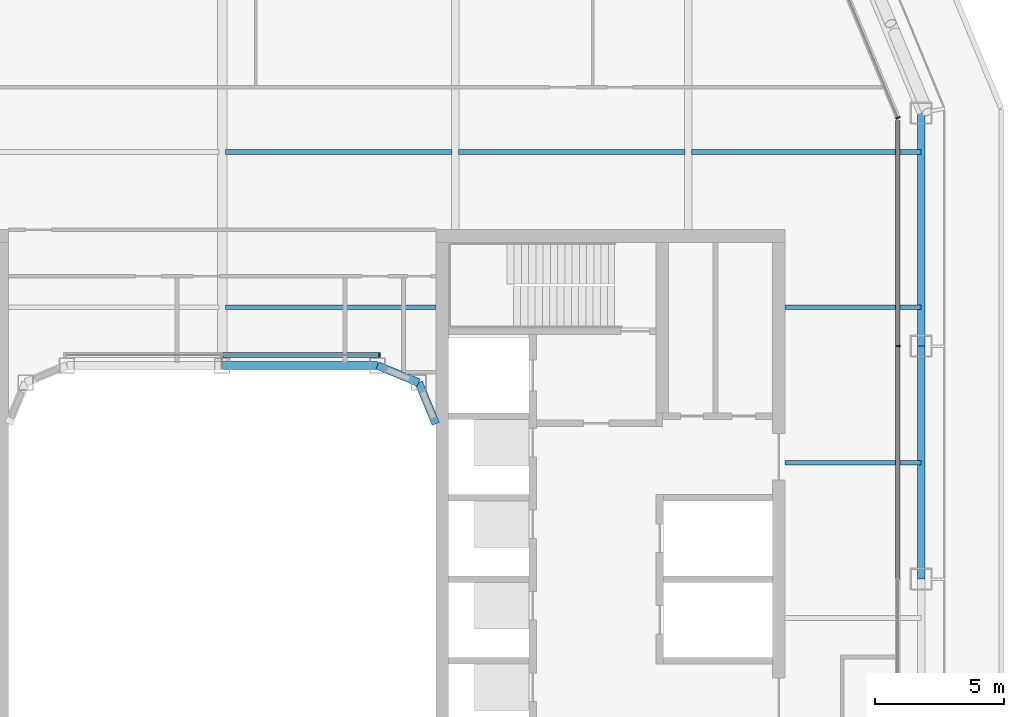
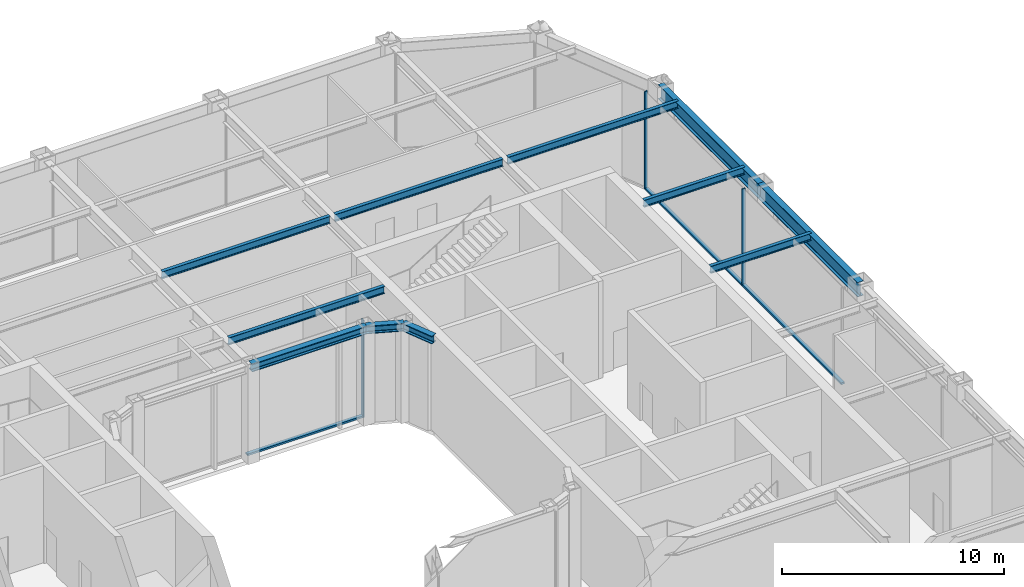
# One storey, part 8 of 19: 11 beams, 6 members, 3 elements without a shape of their own.
"""IFC4 building model written with IfcOpenShell, lengths in metres."""

from ifc_helpers import new_model, si_unit, direction, frame, origin, origin_2d, place, context, subcontext, project, spatial, rectangle, i_section, extrude, material, layer, layer_set, material_profile, profile_set, type_object, element, aggregate, save


model = new_model("IFC4")

# Units and contexts
model_context = context("Model", 3, precision=1e-05, world=origin(), true_north=direction((0.0, 1.0)))
body_context = subcontext(model_context, "Body", "Model", "MODEL_VIEW")
ifc_project = project(units=[si_unit("LENGTHUNIT", "METRE"), si_unit("AREAUNIT", "SQUARE_METRE"), si_unit("VOLUMEUNIT", "CUBIC_METRE"), si_unit("PLANEANGLEUNIT", "RADIAN"), si_unit("MASSUNIT", "GRAM", prefix="KILO")], contexts=[model_context])

# Site, building, storey
site_placement = place(None, origin())
site = spatial("IfcSite", under=ifc_project, at=site_placement, CompositionType="ELEMENT")
building_placement = place(site_placement, origin())
building = spatial("IfcBuilding", under=site, at=building_placement, Name="Siwar Civic Tower", CompositionType="ELEMENT")
storey_placement = place(building_placement, frame((0.0, 0.0, 187.199951171875)))
storey = spatial("IfcBuildingStorey", under=building, at=storey_placement, Name="L40", CompositionType="ELEMENT", Elevation=187.199951171875)

# Curtain wall, member
ifc_material_1 = material(Name="Aluminium and glass", Category="aluminium")
ifc_layer_1 = layer(ifc_material_1, 0.179931640625)
ifc_layer_set_1 = layer_set([ifc_layer_1], Name="Aluminium and glass")
curtain_wall_type_1 = type_object("IfcCurtainWallType", Name="ENV-CW-C", PredefinedType="NOTDEFINED", material=ifc_layer_set_1)
curtain_wall_1_placement = place(storey_placement, origin())
curtain_wall_1 = element("IfcCurtainWall", 1, at=curtain_wall_1_placement, inside=storey, type_object=curtain_wall_type_1, Name="Curtain wall C E", PredefinedType="NOTDEFINED")
ifc_material_2 = material(Name="Aluminium 6063-T6", Category="aluminium")
ifc_material_profile_1 = material_profile(ifc_material_2, rectangle(XDim=0.179931640625, YDim=0.06005859375, at=origin_2d()), Name="AL 180x60")
ifc_profile_set_1 = profile_set([ifc_material_profile_1], Name="Aluminium 6063-T6")
member_type_1 = type_object("IfcMemberType", Name="ENV-MULLION-C", PredefinedType="MULLION", material=ifc_profile_set_1)
member_1_placement = place(storey_placement, frame((26.10009765625, 9.0, 0.0), z_axis=(0.0, 0.0, 1.0), x_axis=(-1.0, 0.0, 0.0)))
member_1 = element("IfcMember", 2, at=member_1_placement, type_object=member_type_1, Name="Mullion C E 4", PredefinedType="MULLION", context=body_context, shape_type="SweptSolid", body=[
    extrude(rectangle(XDim=0.179931640625, YDim=0.06005859375, at=origin_2d()), origin(), (0.0, 0.0, 1.0), 5.35009765625),
])

ifc_material_3 = material(Name="Aluminium clad insulated panel", Category="aluminium")
ifc_layer_2 = layer(ifc_material_3, 0.179931640625)
ifc_layer_set_2 = layer_set([ifc_layer_2], Name="Aluminium clad insulated panel")
curtain_wall_type_2 = type_object("IfcCurtainWallType", Name="ENV-CW-CX", PredefinedType="NOTDEFINED", material=ifc_layer_set_2)
curtain_wall_2_placement = place(storey_placement, origin())
curtain_wall_2 = element("IfcCurtainWall", 3, at=curtain_wall_2_placement, inside=storey, type_object=curtain_wall_type_2, Name="Curtain wall C NE1", PredefinedType="NOTDEFINED")
member_2_placement = place(storey_placement, frame((26.10009765625, 17.821044921875, 0.0), z_axis=(0.0, 0.0, 1.0), x_axis=(-0.923879532511, -0.382683432365, 0.0)))
member_2 = element("IfcMember", 4, at=member_2_placement, type_object=member_type_1, Name="Mullion C NE1 1", PredefinedType="MULLION", context=body_context, shape_type="SweptSolid", body=[
    extrude(rectangle(XDim=0.179931640625, YDim=0.06005859375, at=origin_2d()), origin(), (0.0, 0.0, 1.0), 5.35009765625),
])
aggregate(curtain_wall_2, [member_2])

ifc_material_4 = material(Name="Aluminium and glass", Category="aluminium")
ifc_layer_3 = layer(ifc_material_4, 0.179931640625)
ifc_layer_set_3 = layer_set([ifc_layer_3], Name="Aluminium and glass")
curtain_wall_type_3 = type_object("IfcCurtainWallType", Name="ENV-CW-W", PredefinedType="NOTDEFINED", material=ifc_layer_set_3)
curtain_wall_3_placement = place(storey_placement, origin())
curtain_wall_3 = element("IfcCurtainWall", 5, at=curtain_wall_3_placement, inside=storey, type_object=curtain_wall_type_3, Name="Curtain wall W WN", PredefinedType="NOTDEFINED")
ifc_material_5 = material(Name="Aluminium 6063-T6", Category="aluminium")
ifc_material_profile_2 = material_profile(ifc_material_5, rectangle(XDim=0.179931640625, YDim=0.06005859375, at=origin_2d()), Name="AL 180x60")
ifc_profile_set_2 = profile_set([ifc_material_profile_2], Name="Aluminium 6063-T6")
member_type_2 = type_object("IfcMemberType", Name="ENV-MULLION-W", PredefinedType="MULLION", material=ifc_profile_set_2)
member_3_placement = place(storey_placement, frame((6.08154296875, 8.659912109375, 0.0), z_axis=(0.0, 0.0, 1.0), x_axis=(0.0, -1.0, 0.0)))
member_3 = element("IfcMember", 6, at=member_3_placement, type_object=member_type_2, Name="Mullion W WN 1", PredefinedType="MULLION", context=body_context, shape_type="SweptSolid", body=[
    extrude(rectangle(XDim=0.179931640625, YDim=0.06005859375, at=origin_2d()), origin(), (0.0, 0.0, 1.0), 5.35009765625),
])

# Member
ifc_material_6 = material(Name="Aluminium 6063-T6", Category="aluminium")
ifc_material_profile_3 = material_profile(ifc_material_6, rectangle(XDim=0.179931640625, YDim=0.10009765625, at=origin_2d()), Name="AL 180x100")
ifc_profile_set_3 = profile_set([ifc_material_profile_3], Name="Aluminium 6063-T6")
member_type_3 = type_object("IfcMemberType", Name="ENV-TRANSOM-C", PredefinedType="USERDEFINED", material=ifc_profile_set_3)
member_4_placement = place(storey_placement, frame((26.10009765625, 0.030029296875, 0.050048828125), z_axis=(0.0, 1.0, 0.0), x_axis=(-1.0, 0.0, 0.0)))
member_4 = element("IfcMember", 7, at=member_4_placement, type_object=member_type_3, Name="Transom C E 3", ObjectType="TRANSOM", PredefinedType="USERDEFINED", context=body_context, shape_type="SweptSolid", body=[
    extrude(rectangle(XDim=0.179931640625, YDim=0.10009765625, at=origin_2d()), origin(), (0.0, 0.0, 1.0), 8.93994140625),
])

member_5_placement = place(storey_placement, frame((26.10009765625, 9.030029296875, 0.050048828125), z_axis=(0.0, 1.0, 0.0), x_axis=(-1.0, 0.0, 0.0)))
member_5 = element("IfcMember", 8, at=member_5_placement, type_object=member_type_3, Name="Transom C E 4", ObjectType="TRANSOM", PredefinedType="USERDEFINED", context=body_context, shape_type="SweptSolid", body=[
    extrude(rectangle(XDim=0.179931640625, YDim=0.10009765625, at=origin_2d()), origin(), (0.0, 0.0, 1.0), 8.68603515625),
])

aggregate(curtain_wall_1, [member_1, member_4, member_5])

ifc_material_7 = material(Name="Aluminium 6063-T6", Category="aluminium")
ifc_material_profile_4 = material_profile(ifc_material_7, rectangle(XDim=0.179931640625, YDim=0.10009765625, at=origin_2d()), Name="AL 180x100")
ifc_profile_set_4 = profile_set([ifc_material_profile_4], Name="Aluminium 6063-T6")
member_type_4 = type_object("IfcMemberType", Name="ENV-TRANSOM-W", PredefinedType="USERDEFINED", material=ifc_profile_set_4)
member_6_placement = place(storey_placement, frame((6.051513671875, 8.659912109375, 0.050048828125), z_axis=(-1.0, 0.0, 0.0), x_axis=(0.0, -1.0, 0.0)))
member_6 = element("IfcMember", 9, at=member_6_placement, type_object=member_type_4, Name="Transom W WN 1", ObjectType="TRANSOM", PredefinedType="USERDEFINED", context=body_context, shape_type="SweptSolid", body=[
    extrude(rectangle(XDim=0.179931640625, YDim=0.10009765625, at=origin_2d()), origin(), (0.0, 0.0, 1.0), 6.021484375),
])

aggregate(curtain_wall_3, [member_3, member_6])

# Beams
ifc_material_8 = material(Name="Steel S355", Category="steel")
ifc_material_profile_5 = material_profile(ifc_material_8, i_section(OverallWidth=0.179931640625, OverallDepth=0.39990234375, WebThickness=0.008544921875, FlangeThickness=0.013427734375, FilletRadius=0.02099609375, at=origin_2d()), Name="IPE400")
ifc_profile_set_5 = profile_set([ifc_material_profile_5], Name="Steel S355")
beam_type_1 = type_object("IfcBeamType", Name="STR-FB-IPE400", PredefinedType="JOIST", material=ifc_profile_set_5)
beam_1_placement = place(storey_placement, frame((21.75, 4.5, 5.150146484375), z_axis=(1.0, 0.0, 0.0), x_axis=(0.0, 1.0, 0.0)))
element("IfcBeam", 10, at=beam_1_placement, inside=storey, type_object=beam_type_1, Name="L40/bm/F026", PredefinedType="JOIST", context=body_context, shape_type="SweptSolid", body=[
    extrude(i_section(OverallWidth=0.179931640625, OverallDepth=0.39990234375, WebThickness=0.008544921875, FlangeThickness=0.013427734375, FilletRadius=0.02099609375, at=origin_2d()), origin(), (0.0, 0.0, 1.0), 5.25),
])
beam_2_placement = place(storey_placement, frame((0.1298828125, 10.5, 5.150146484375), z_axis=(1.0, 0.0, 0.0), x_axis=(0.0, 1.0, 0.0)))
element("IfcBeam", 11, at=beam_2_placement, inside=storey, type_object=beam_type_1, Name="L40/bm/F029", PredefinedType="JOIST", context=body_context, shape_type="SweptSolid", body=[
    extrude(i_section(OverallWidth=0.179931640625, OverallDepth=0.39990234375, WebThickness=0.008544921875, FlangeThickness=0.013427734375, FilletRadius=0.02099609375, at=origin_2d()), origin(), (0.0, 0.0, 1.0), 8.1201171875),
])
beam_3_placement = place(storey_placement, frame((21.75, 10.5, 5.150146484375), z_axis=(1.0, 0.0, 0.0), x_axis=(0.0, 1.0, 0.0)))
element("IfcBeam", 12, at=beam_3_placement, inside=storey, type_object=beam_type_1, Name="L40/bm/F030", PredefinedType="JOIST", context=body_context, shape_type="SweptSolid", body=[
    extrude(i_section(OverallWidth=0.179931640625, OverallDepth=0.39990234375, WebThickness=0.008544921875, FlangeThickness=0.013427734375, FilletRadius=0.02099609375, at=origin_2d()), origin(), (0.0, 0.0, 1.0), 5.25),
])
for number, where, z_axis, x_axis, name in (
    (13, (0.1298828125, 16.5, 5.150146484375), (1.0, 0.0, 0.0), (0.0, 1.0, 0.0), "L40/bm/F034"),
    (14, (9.1298828125, 16.5, 5.150146484375), (1.0, 0.0, 0.0), (0.0, 1.0, 0.0), "L40/bm/F035"),
):
    element("IfcBeam", number, at=place(storey_placement, frame(where, z_axis=z_axis, x_axis=x_axis)), inside=storey, type_object=beam_type_1, Name=name, PredefinedType="JOIST", context=body_context, shape_type="SweptSolid", body=[
        extrude(i_section(OverallWidth=0.179931640625, OverallDepth=0.39990234375, WebThickness=0.008544921875, FlangeThickness=0.013427734375, FilletRadius=0.02099609375, at=origin_2d()), origin(), (0.0, 0.0, 1.0), 8.740234375),
    ])
beam_4_placement = place(storey_placement, frame((18.1298828125, 16.5, 5.150146484375), z_axis=(1.0, 0.0, 0.0), x_axis=(0.0, 1.0, 0.0)))
element("IfcBeam", 15, at=beam_4_placement, inside=storey, type_object=beam_type_1, Name="L40/bm/F036", PredefinedType="JOIST", context=body_context, shape_type="SweptSolid", body=[
    extrude(i_section(OverallWidth=0.179931640625, OverallDepth=0.39990234375, WebThickness=0.008544921875, FlangeThickness=0.013427734375, FilletRadius=0.02099609375, at=origin_2d()), origin(), (0.0, 0.0, 1.0), 8.8701171875),
])
ifc_material_9 = material(Name="Steel S355", Category="steel")
ifc_material_profile_6 = material_profile(ifc_material_9, i_section(OverallWidth=0.306884765625, OverallDepth=0.431884765625, WebThickness=0.02099609375, FlangeThickness=0.0400390625, FilletRadius=0.027099609375, at=origin_2d()), Name="HEM400")
ifc_profile_set_6 = profile_set([ifc_material_profile_6], Name="Steel S355")
beam_type_2 = type_object("IfcBeamType", Name="STR-RB-HEM400", PredefinedType="BEAM", material=ifc_profile_set_6)
beam_5_placement = place(storey_placement, frame((0.0, 8.25, 5.134033203125), z_axis=(1.0, 0.0, 0.0), x_axis=(0.0, 1.0, 0.0)))
element("IfcBeam", 16, at=beam_5_placement, inside=storey, type_object=beam_type_2, Name="L40/bm/RN2", PredefinedType="BEAM", context=body_context, shape_type="SweptSolid", body=[
    extrude(i_section(OverallWidth=0.306884765625, OverallDepth=0.431884765625, WebThickness=0.02099609375, FlangeThickness=0.0400390625, FilletRadius=0.027099609375, at=origin_2d()), origin(), (0.0, 0.0, 1.0), 6.0),
])
for number, where, z_axis, x_axis, name in (
    (17, (6.0, 8.25, 5.134033203125), (0.923901072997, -0.382631424892, 0.0), (0.382631424892, 0.923901072997, 0.0), "L40/bm/RN3"),
    (18, (7.591064453125, 7.591064453125, 5.134033203125), (0.382631424892, -0.923901072997, 0.0), (0.923901072997, 0.382631424892, 0.0), "L40/bm/RNEE"),
):
    element("IfcBeam", number, at=place(storey_placement, frame(where, z_axis=z_axis, x_axis=x_axis)), inside=storey, type_object=beam_type_2, Name=name, PredefinedType="BEAM", context=body_context, shape_type="SweptSolid", body=[
        extrude(i_section(OverallWidth=0.306884765625, OverallDepth=0.431884765625, WebThickness=0.02099609375, FlangeThickness=0.0400390625, FilletRadius=0.027099609375, at=origin_2d()), origin(), (0.0, 0.0, 1.0), 1.72216796875),
    ])
ifc_material_10 = material(Name="Steel S355", Category="steel")
ifc_material_profile_7 = material_profile(ifc_material_10, i_section(OverallWidth=0.300048828125, OverallDepth=0.800048828125, WebThickness=0.017578125, FlangeThickness=0.032958984375, FilletRadius=0.030029296875, at=origin_2d()), Name="HEB800")
ifc_profile_set_7 = profile_set([ifc_material_profile_7], Name="Steel S355")
beam_type_3 = type_object("IfcBeamType", Name="STR-SB-HEB800", PredefinedType="BEAM", material=ifc_profile_set_7)
for number, where, z_axis, x_axis, name in (
    (19, (27.0, 0.0, 4.949951171875), (0.0, 1.0, 0.0), (-1.0, 0.0, 0.0), "L40/bm/SE-2"),
    (20, (27.0, 9.0, 4.949951171875), (0.0, 1.0, 0.0), (-1.0, 0.0, 0.0), "L40/bm/SE-3"),
):
    element("IfcBeam", number, at=place(storey_placement, frame(where, z_axis=z_axis, x_axis=x_axis)), inside=storey, type_object=beam_type_3, Name=name, PredefinedType="BEAM", context=body_context, shape_type="SweptSolid", body=[
        extrude(i_section(OverallWidth=0.300048828125, OverallDepth=0.800048828125, WebThickness=0.017578125, FlangeThickness=0.032958984375, FilletRadius=0.030029296875, at=origin_2d()), origin(), (0.0, 0.0, 1.0), 9.0),
    ])

save(model, "model.ifc")
